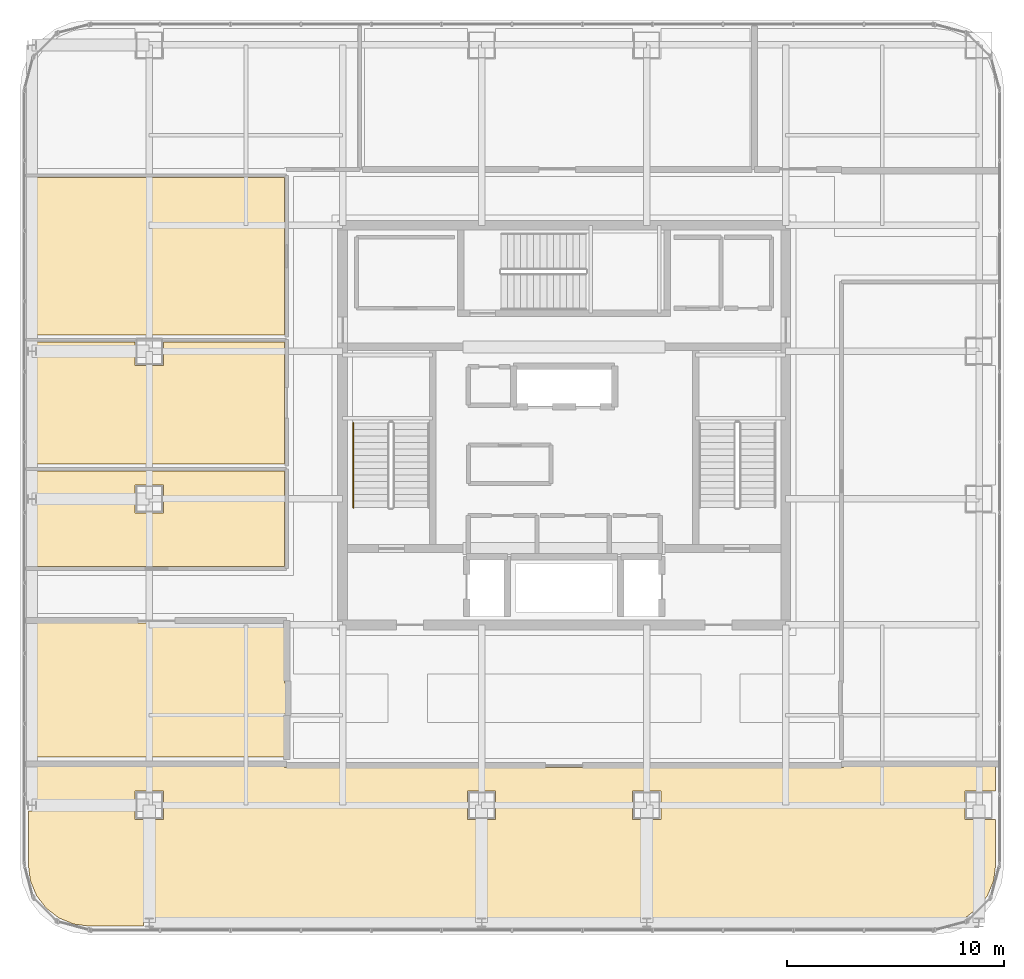
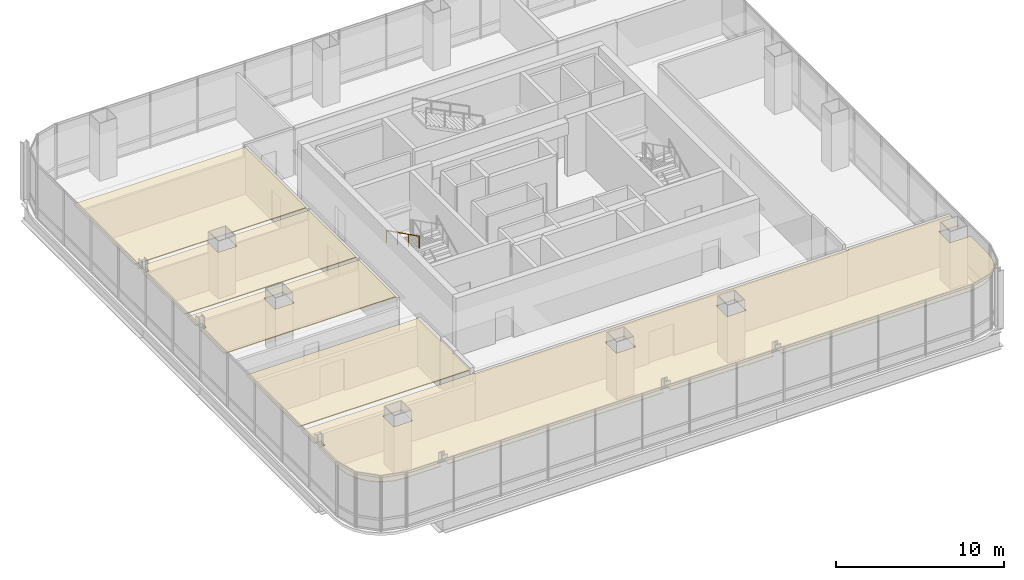
# One storey, part 38 of 42: 5 coverings, 1 railing.
"""IFC4 building model written with IfcOpenShell, lengths in metres."""

from ifc_helpers import new_model, si_unit, direction, frame, origin, origin_2d, place, context, subcontext, project, spatial, polyline, circle, outline, extrude, material, layer, layer_set, type_object, element, save


model = new_model("IFC4")

# Units and contexts
model_context = context("Model", 3, precision=1e-05, world=origin(), true_north=direction((0.0, 1.0)))
body_context = subcontext(model_context, "Body", "Model", "MODEL_VIEW")
ifc_project = project(units=[si_unit("LENGTHUNIT", "METRE"), si_unit("AREAUNIT", "SQUARE_METRE"), si_unit("VOLUMEUNIT", "CUBIC_METRE"), si_unit("PLANEANGLEUNIT", "RADIAN"), si_unit("MASSUNIT", "GRAM", prefix="KILO")], contexts=[model_context])

# Site, building, storey
site_placement = place(None, origin())
site = spatial("IfcSite", under=ifc_project, at=site_placement, CompositionType="ELEMENT")
building_placement = place(site_placement, origin())
building = spatial("IfcBuilding", under=site, at=building_placement, Name="Punatoya Terracotta Tower", CompositionType="ELEMENT")
storey_placement = place(building_placement, frame((0.0, 0.0, 325.800048828125)))
storey = spatial("IfcBuildingStorey", under=building, at=storey_placement, Name="L77", CompositionType="ELEMENT", Elevation=325.800048828125)

# Coverings
ifc_material_1 = material(Name="Acoustic Mineral Fibre Ceiling")
ifc_layer = layer(ifc_material_1, 0.06005859375)
ifc_layer_set = layer_set([ifc_layer], Name="Acoustic Mineral Fibre Ceiling")
covering_type = type_object("IfcCoveringType", Name="COV-CEIL-60", PredefinedType="CEILING", material=ifc_layer_set)
covering_1_placement = place(storey_placement, frame((0.0, 0.0, 3.389892578125)))
element("IfcCovering", 1, at=covering_1_placement, inside=storey, type_object=covering_type, Name="L77 Client Dining Salon Acoustic Ceiling", PredefinedType="CEILING", context=body_context, shape_type="SweptSolid", body=[
    extrude(outline(polyline([(-12.8701171875, -15.77001953125), (-12.8701171875, -15.7099609375), (-24.669921875, -15.7099609375), (-24.669921875, -17.241943359375), (-24.2470703125, -17.241943359375), (-24.2470703125, -17.758056640625), (-24.669921875, -17.758056640625), (-24.669921875, -20.22509765625), (-24.57080078125, -20.97900390625), (-24.289306640625, -21.658203125), (-23.841796875, -22.24169921875), (-23.25830078125, -22.689453125), (-22.5791015625, -22.970703125), (-21.8251953125, -23.070068359375), (-19.35302734375, -23.070068359375), (-19.35302734375, -22.64208984375), (-18.846923828125, -22.64208984375), (-18.846923828125, -23.070068359375), (-4.052978515625, -23.070068359375), (-4.052978515625, -22.64208984375), (-3.547119140625, -22.64208984375), (-3.547119140625, -23.070068359375), (3.547119140625, -23.070068359375), (3.547119140625, -22.64208984375), (4.052978515625, -22.64208984375), (4.052978515625, -23.070068359375), (17.025146484375, -23.070068359375), (17.779052734375, -22.970703125), (18.458251953125, -22.689453125), (19.041748046875, -22.24169921875), (19.489501953125, -21.658203125), (19.770751953125, -20.97900390625), (19.8701171875, -20.22509765625), (19.8701171875, -18.14990234375), (18.449951171875, -18.14990234375), (18.449951171875, -16.85009765625), (19.8701171875, -16.85009765625), (19.8701171875, -15.7099609375), (12.8701171875, -15.7099609375), (12.8701171875, -15.77001953125), (-12.8701171875, -15.77001953125)]), holes=[polyline([(4.449951171875, -16.85009765625), (4.449951171875, -18.14990234375), (3.14990234375, -18.14990234375), (3.14990234375, -16.85009765625), (4.449951171875, -16.85009765625)]), polyline([(-4.449951171875, -16.85009765625), (-3.14990234375, -16.85009765625), (-3.14990234375, -18.14990234375), (-4.449951171875, -18.14990234375), (-4.449951171875, -16.85009765625)]), polyline([(-19.75, -18.14990234375), (-19.75, -16.85009765625), (-18.449951171875, -16.85009765625), (-18.449951171875, -18.14990234375), (-19.75, -18.14990234375)])]), origin(), (0.0, 0.0, 1.0), 0.06005859375),
])
covering_2_placement = place(storey_placement, frame((0.0, 0.0, 3.389892578125)))
element("IfcCovering", 2, at=covering_2_placement, inside=storey, type_object=covering_type, Name="L77 Executive Bistro Lounge Acoustic Ceiling", PredefinedType="CEILING", context=body_context, shape_type="SweptSolid", body=[
    extrude(outline(polyline([(-12.8701171875, -13.280029296875), (-12.81005859375, -13.280029296875), (-12.81005859375, -11.8701171875), (-12.8701171875, -11.8701171875), (-12.8701171875, -9.10009765625), (-24.669921875, -9.10009765625), (-24.669921875, -15.2900390625), (-12.8701171875, -15.2900390625), (-12.8701171875, -13.280029296875)])), origin(), (0.0, 0.0, 1.0), 0.06005859375),
])
covering_3_placement = place(storey_placement, frame((0.0, 0.0, 3.389892578125)))
element("IfcCovering", 3, at=covering_3_placement, inside=storey, type_object=covering_type, Name="L77 Open-Plan Visitor Reception Salon Acoustic Ceiling", PredefinedType="CEILING", context=body_context, shape_type="SweptSolid", body=[
    extrude(outline(polyline([(-24.2470703125, -3.14208984375), (-24.2470703125, -3.657958984375), (-24.669921875, -3.657958984375), (-24.669921875, -6.5), (-12.8701171875, -6.5), (-12.8701171875, -2.110107421875), (-24.669921875, -2.110107421875), (-24.669921875, -3.14208984375), (-24.2470703125, -3.14208984375)]), holes=[polyline([(-18.449951171875, -4.050048828125), (-19.75, -4.050048828125), (-19.75, -2.75), (-18.449951171875, -2.75), (-18.449951171875, -4.050048828125)])]), origin(), (0.0, 0.0, 1.0), 0.06005859375),
])
covering_4_placement = place(storey_placement, frame((0.0, 0.0, 3.389892578125)))
element("IfcCovering", 4, at=covering_4_placement, inside=storey, type_object=covering_type, Name="L77 Open-Plan Private Dining Boardroom Acoustic Ceiling", PredefinedType="CEILING", context=body_context, shape_type="SweptSolid", body=[
    extrude(outline(polyline([(-19.75, 2.75), (-19.75, 3.830078125), (-24.669921875, 3.830078125), (-24.669921875, 3.657958984375), (-24.2470703125, 3.657958984375), (-24.2470703125, 3.14208984375), (-24.669921875, 3.14208984375), (-24.669921875, -1.7900390625), (-12.8701171875, -1.7900390625), (-12.8701171875, 3.830078125), (-18.449951171875, 3.830078125), (-18.449951171875, 2.75), (-19.75, 2.75)])), origin(), (0.0, 0.0, 1.0), 0.06005859375),
])
covering_5_placement = place(storey_placement, frame((0.0, 0.0, 3.389892578125)))
element("IfcCovering", 5, at=covering_5_placement, inside=storey, type_object=covering_type, Name="L77 Wellness Relaxation Lounge Acoustic Ceiling", PredefinedType="CEILING", context=body_context, shape_type="SweptSolid", body=[
    extrude(outline(polyline([(-12.8701171875, 4.14990234375), (-12.8701171875, 11.389892578125), (-24.669921875, 11.389892578125), (-24.669921875, 4.14990234375), (-12.8701171875, 4.14990234375)])), origin(), (0.0, 0.0, 1.0), 0.06005859375),
])

# Railing
ifc_material_2 = material(Name="Steel S355", Category="steel")
railing_type = type_object("IfcRailingType", Name="RLG-HND-900", PredefinedType="HANDRAIL", material=ifc_material_2)
railing_placement = place(storey_placement, frame((-9.699951171875, 0.10009765625, 2.25)))
element("IfcRailing", 6, at=railing_placement, inside=storey, type_object=railing_type, Name="L77 ST-1 stair handrail 2", PredefinedType="HANDRAIL", context=body_context, shape_type="SweptSolid", body=[
    extrude(circle(Radius=0.02392578125, at=origin_2d()), frame((0.0, 0.0, 0.8759765625), z_axis=(0.0, -0.894438388696, 0.447191199406), x_axis=(1.0, 0.0, 0.0)), (0.0, 0.0, 1.0), 4.3603515625),
    extrude(circle(Radius=0.02099609375, at=origin_2d()), origin(), (0.0, 0.0, 1.0), 0.851806640625),
    extrude(circle(Radius=0.02099609375, at=origin_2d()), frame((0.0, -1.300048828125, 0.64990234375)), (0.0, 0.0, 1.0), 0.851806640625),
    extrude(circle(Radius=0.02099609375, at=origin_2d()), frame((0.0, -2.60009765625, 1.300048828125)), (0.0, 0.0, 1.0), 0.851806640625),
    extrude(circle(Radius=0.02099609375, at=origin_2d()), frame((0.0, -3.900146484375, 1.949951171875)), (0.0, 0.0, 1.0), 0.851806640625),
])

save(model, "model.ifc")
